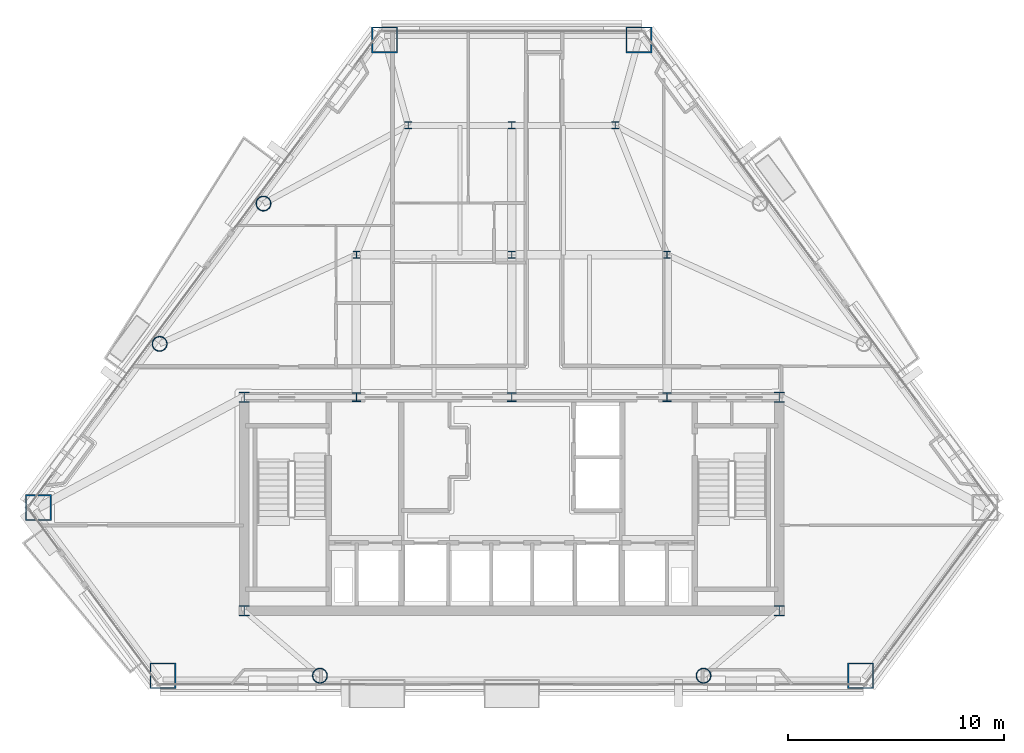
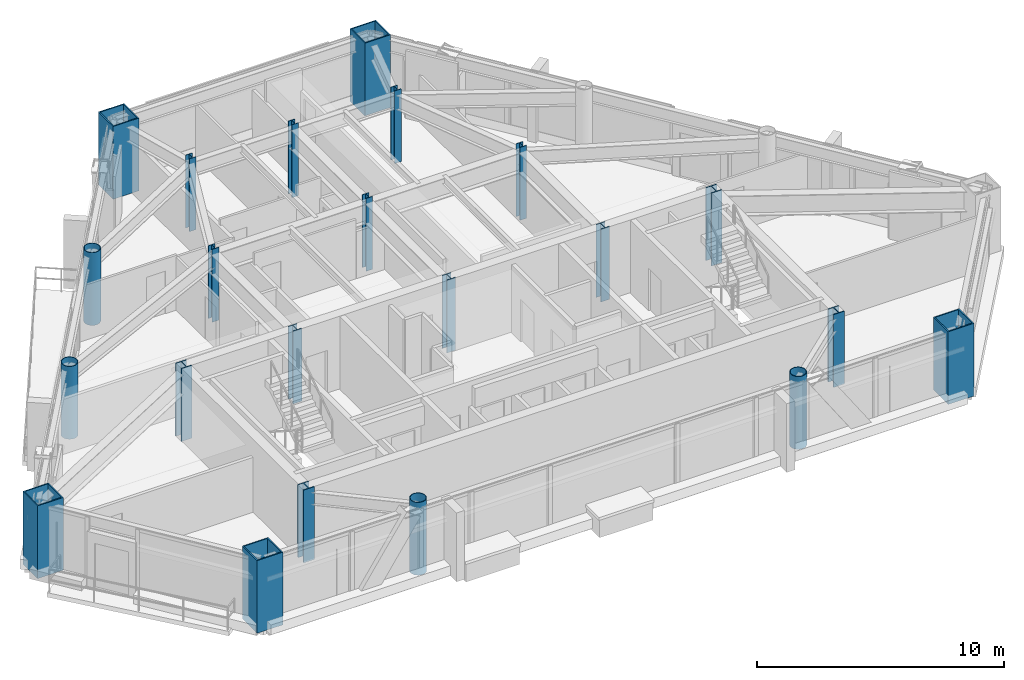
# One storey, part 1 of 13: 22 columns.
"""IFC4 building model written with IfcOpenShell, lengths in metres."""

import ifcopenshell
import ifcopenshell.guid

model = None  # the IFC model being written
_history = None  # IfcOwnerHistory: only IFC2X3 demands one
_inside = {}  # id of a spatial element -> (the spatial element, [elements in it])
_under = {}  # id of a project, library or spatial element -> (it, [spatial elements below it])
_declared = {}  # id of a project -> (the project, [libraries it declares])
_typed = {}  # id of a type object -> (the type object, [elements of that type])
_made_of = {}  # id of a material, layer set ... -> (it, [elements and type objects made of it])


def new_model(schema):
    """Start an empty IFC model of exactly this schema.

    Asked for "IFC4X3", IfcOpenShell would pick the latest addendum, in which some entities
    have other attributes; the version numbers below select the first issue.
    IFC2X3 requires an IfcOwnerHistory on every rooted entity: one is made here for all.
    """
    global model, _history
    if schema == "IFC4X3":
        model = ifcopenshell.file(schema_version=(4, 3, 0, 0))
    else:
        model = ifcopenshell.file(schema=schema)
    _inside.clear()
    _under.clear()
    _declared.clear()
    _typed.clear()
    _made_of.clear()
    _history = None
    if model.schema == "IFC2X3":
        org = make("IfcOrganization", Name="unknown")
        user = make(
            "IfcPersonAndOrganization",
            ThePerson=make("IfcPerson", FamilyName="unknown"),
            TheOrganization=org,
        )
        app = make(
            "IfcApplication",
            ApplicationDeveloper=org,
            Version="unknown",
            ApplicationFullName="unknown",
            ApplicationIdentifier="unknown",
        )
        _history = make(
            "IfcOwnerHistory",
            OwningUser=user,
            OwningApplication=app,
            ChangeAction="ADDED",
            CreationDate=0,
        )
    return model


def make(cls, **values):
    """One entity of the class cls with the attributes given. An attribute that is None is left unset."""
    return model.create_entity(
        cls, **{name: value for name, value in values.items() if value is not None}
    )


def rooted(cls, **values):
    """An entity with a GlobalId (a new one), such as an element, a storey or a relation."""
    return make(cls, GlobalId=ifcopenshell.guid.new(), OwnerHistory=_history, **values)


def si_unit(unit_type, name, prefix=None):
    """IfcSIUnit, for example si_unit("LENGTHUNIT", "METRE", prefix="MILLI")."""
    return make("IfcSIUnit", UnitType=unit_type, Prefix=prefix, Name=name)


def assignment(units):
    """IfcUnitAssignment: the units of a project."""
    return None if units is None else make("IfcUnitAssignment", Units=units)


def point(xyz):
    """IfcCartesianPoint."""
    return None if xyz is None else make("IfcCartesianPoint", Coordinates=xyz)


def direction(xyz):
    """IfcDirection."""
    return None if xyz is None else make("IfcDirection", DirectionRatios=xyz)


def frame(location, z_axis=None, x_axis=None):
    """IfcAxis2Placement3D, a coordinate frame: its origin and axes. An axis left out is left unset."""
    return make(
        "IfcAxis2Placement3D",
        Location=point(location),
        Axis=direction(z_axis),
        RefDirection=direction(x_axis),
    )


def frame_2d(location, x_axis=None):
    """IfcAxis2Placement2D, a coordinate frame in the plane: its origin and x axis."""
    return make(
        "IfcAxis2Placement2D", Location=point(location), RefDirection=direction(x_axis)
    )


def origin():
    """The frame at (0, 0, 0) with its axes left unset."""
    return frame((0.0, 0.0, 0.0))


def origin_2d():
    """The frame at (0, 0) in the plane with its x axis left unset."""
    return frame_2d((0.0, 0.0))


def place(relative_to, where):
    """IfcLocalPlacement: puts the frame where relative to a parent placement (None: the world)."""
    return make(
        "IfcLocalPlacement", PlacementRelTo=relative_to, RelativePlacement=where
    )


def context(
    kind, dimensions, precision=None, world=None, true_north=None, identifier=None
):
    """IfcGeometricRepresentationContext, for example the 3D "Model" context."""
    return make(
        "IfcGeometricRepresentationContext",
        ContextIdentifier=identifier,
        ContextType=kind,
        CoordinateSpaceDimension=dimensions,
        Precision=precision,
        WorldCoordinateSystem=world,
        TrueNorth=true_north,
    )


def subcontext(parent, identifier, kind, view, scale=None):
    """IfcGeometricRepresentationSubContext, for example "Body" below "Model"."""
    return make(
        "IfcGeometricRepresentationSubContext",
        ContextIdentifier=identifier,
        ContextType=kind,
        ParentContext=parent,
        TargetScale=scale,
        TargetView=view,
    )


def project(units=None, contexts=None):
    """IfcProject with its units and contexts."""
    return rooted(
        "IfcProject",
        Name="project",
        RepresentationContexts=contexts,
        UnitsInContext=assignment(units),
    )


def spatial(cls, under=None, at=None, **own):
    """A site, building, storey or space (cls), placed at a placement, below another one or the project."""
    s = rooted(cls, ObjectPlacement=at, **own)
    if under is not None:
        _under.setdefault(under.id(), (under, []))[1].append(s)
    return s


def profile(cls, at=None, kind="AREA", **sizes):
    """A parametric profile (cls). Its sizes go by their IFC names, for example OverallWidth=200.0."""
    return make(cls, ProfileType=kind, Position=at, **sizes)


def hollow_rectangle(**sizes):
    """IfcRectangleHollowProfileDef."""
    return profile("IfcRectangleHollowProfileDef", **sizes)


def hollow_circle(**sizes):
    """IfcCircleHollowProfileDef."""
    return profile("IfcCircleHollowProfileDef", **sizes)


def i_section(**sizes):
    """IfcIShapeProfileDef."""
    return profile("IfcIShapeProfileDef", **sizes)


def extrude(swept, where, along, depth):
    """IfcExtrudedAreaSolid: the profile swept, set in the frame where, extruded along a direction by depth."""
    return make(
        "IfcExtrudedAreaSolid",
        SweptArea=swept,
        Position=where,
        ExtrudedDirection=direction(along),
        Depth=depth,
    )


def shape(context_of_items, identifier, shape_type, items):
    """IfcShapeRepresentation: the items that make up one representation, for example the "Body"."""
    return make(
        "IfcShapeRepresentation",
        ContextOfItems=context_of_items,
        RepresentationIdentifier=identifier,
        RepresentationType=shape_type,
        Items=items,
    )


def material(Name=None, Category=None):
    """IfcMaterial."""
    return make("IfcMaterial", Name=Name, Category=Category)


def material_profile(
    of_material, cross_section, Name=None, Category=None, Priority=None
):
    """IfcMaterialProfile: a cross section and its material."""
    return make(
        "IfcMaterialProfile",
        Name=Name,
        Material=of_material,
        Profile=cross_section,
        Priority=Priority,
        Category=Category,
    )


def profile_set(profiles, Name=None, composite=None):
    """IfcMaterialProfileSet."""
    return make(
        "IfcMaterialProfileSet",
        Name=Name,
        MaterialProfiles=profiles,
        CompositeProfile=composite,
    )


def made_of(thing, what):
    """Note that an element or type object is made of a material, layer set ...; save() writes the relation."""
    if what is not None:
        _made_of.setdefault(what.id(), (what, []))[1].append(thing)
    return thing


def type_object(cls, material=None, **own):
    """A type object (cls), such as IfcWallType, which elements share."""
    return made_of(rooted(cls, **own), material)


def element(
    cls,
    number,
    at=None,
    inside=None,
    cuts=None,
    type_object=None,
    material=None,
    context=None,
    identifier="Body",
    shape_type=None,
    held_by="IfcProductDefinitionShape",
    body=None,
    shapes=None,
    **own,
):
    """One element of the class cls, such as IfcWall. Its Tag is "e" and its number.

    at: its placement. inside: the storey or other place that contains it. cuts: it is an
    opening in that element (IfcRelVoidsElement). A single representation is given by context,
    identifier, shape_type and body (its items); several are given by shapes. held_by: the class
    of the entity that holds the representations. save() writes the other relations.
    """
    e = rooted(cls, Tag="e%d" % number, ObjectPlacement=at, **own)
    if body is not None:
        shapes = [shape(context, identifier, shape_type, body)]
    if shapes is not None:
        e.Representation = make(held_by, Representations=shapes)
    if inside is not None:
        _inside.setdefault(inside.id(), (inside, []))[1].append(e)
    if cuts is not None:
        rooted(
            "IfcRelVoidsElement", RelatingBuildingElement=cuts, RelatedOpeningElement=e
        )
    if type_object is not None:
        _typed.setdefault(type_object.id(), (type_object, []))[1].append(e)
    return made_of(e, material)


def aggregate(whole, parts):
    """IfcRelAggregates: a whole, such as a stair, and the parts it consists of."""
    return rooted("IfcRelAggregates", RelatingObject=whole, RelatedObjects=parts)


def save(model, path):
    """Write the relations noted so far, then the file.

    IfcRelAggregates (storeys below a building ...), IfcRelContainedInSpatialStructure (elements
    in a storey), IfcRelDefinesByType, IfcRelAssociatesMaterial and IfcRelDeclares: one each for
    every whole, place, type object, material and project.
    """
    for whole, parts in _under.values():
        aggregate(whole, parts)
    for where, things in _inside.values():
        rooted(
            "IfcRelContainedInSpatialStructure",
            RelatedElements=things,
            RelatingStructure=where,
        )
    for kind, things in _typed.values():
        rooted("IfcRelDefinesByType", RelatedObjects=things, RelatingType=kind)
    for what, things in _made_of.values():
        rooted("IfcRelAssociatesMaterial", RelatedObjects=things, RelatingMaterial=what)
    for by, libraries in _declared.values():
        rooted("IfcRelDeclares", RelatingContext=by, RelatedDefinitions=libraries)
    model.write(path)


model = new_model("IFC4")

# Units and contexts
model_context = context("Model", 3, precision=1e-05, world=origin(), true_north=direction((0.0, 1.0)))
body_context = subcontext(model_context, "Body", "Model", "MODEL_VIEW")
ifc_project = project(units=[si_unit("LENGTHUNIT", "METRE"), si_unit("AREAUNIT", "SQUARE_METRE"), si_unit("VOLUMEUNIT", "CUBIC_METRE"), si_unit("PLANEANGLEUNIT", "RADIAN"), si_unit("MASSUNIT", "GRAM", prefix="KILO")], contexts=[model_context])

# Site, building, storey
site_placement = place(None, origin())
site = spatial("IfcSite", under=ifc_project, at=site_placement, CompositionType="ELEMENT")
building_placement = place(site_placement, origin())
building = spatial("IfcBuilding", under=site, at=building_placement, Name="Talgorran Terracotta Tower", CompositionType="ELEMENT")
storey_placement = place(building_placement, frame((0.0, 0.0, 99.60009765625)))
storey = spatial("IfcBuildingStorey", under=building, at=storey_placement, Name="L25", CompositionType="ELEMENT", Elevation=99.60009765625)

# Columns
ifc_material_1 = material(Name="Steel S355 (300PLUS)", Category="steel")
ifc_material_profile_1 = material_profile(ifc_material_1, i_section(OverallWidth=0.311279296875, OverallDepth=0.3271484375, WebThickness=0.015625, FlangeThickness=0.02490234375, at=origin_2d()), Name="310UC158")
ifc_profile_set_1 = profile_set([ifc_material_profile_1], Name="Steel S355 (300PLUS)")
column_type_1 = type_object("IfcColumnType", Name="COL_310UC158", PredefinedType="COLUMN", material=ifc_profile_set_1)
for number, where, z_axis, x_axis, name in (
    (1, (-7.199951171875, 2.39990234375, 0.0), (0.0, 0.0, 1.0), (1.0, 0.0, 0.0), "L25 Interior Gravity Column IC1"),
    (2, (0.0, 2.39990234375, 0.0), (0.0, 0.0, 1.0), (1.0, 0.0, 0.0), "L25 Interior Gravity Column IC2"),
    (3, (7.199951171875, 2.39990234375, 0.0), (0.0, 0.0, 1.0), (1.0, 0.0, 0.0), "L25 Interior Gravity Column IC3"),
    (4, (-4.800048828125, 8.39990234375, 0.0), (0.0, 0.0, 1.0), (1.0, 0.0, 0.0), "L25 Interior Gravity Column IC4"),
    (5, (0.0, 8.39990234375, 0.0), (0.0, 0.0, 1.0), (1.0, 0.0, 0.0), "L25 Interior Gravity Column IC5"),
    (6, (4.800048828125, 8.39990234375, 0.0), (0.0, 0.0, 1.0), (1.0, 0.0, 0.0), "L25 Interior Gravity Column IC6"),
):
    element("IfcColumn", number, at=place(storey_placement, frame(where, z_axis=z_axis, x_axis=x_axis)), inside=storey, type_object=column_type_1, Name=name, PredefinedType="COLUMN", context=body_context, shape_type="SweptSolid", body=[
        extrude(i_section(OverallWidth=0.311279296875, OverallDepth=0.3271484375, WebThickness=0.015625, FlangeThickness=0.02490234375, at=origin_2d()), origin(), (0.0, 0.0, 1.0), 3.599853515625),
    ])
ifc_material_profile_2 = material_profile(ifc_material_1, i_section(OverallWidth=0.5, OverallDepth=0.48193359375, WebThickness=0.0400390625, FlangeThickness=0.044921875, at=origin_2d()), Name="500WC440")
ifc_profile_set_2 = profile_set([ifc_material_profile_2], Name="Steel S355 (300PLUS)")
column_type_2 = type_object("IfcColumnType", Name="COL_500WC440", PredefinedType="COLUMN", material=ifc_profile_set_2)
for number, where, z_axis, x_axis, name in (
    (7, (-12.39990234375, -14.10009765625, 0.0), (0.0, 0.0, 1.0), (1.0, 0.0, 0.0), "L25 Core Boundary Column CC1"),
    (8, (12.39990234375, -14.10009765625, 0.0), (0.0, 0.0, 1.0), (1.0, 0.0, 0.0), "L25 Core Boundary Column CC2"),
    (9, (12.39990234375, -4.199951171875, 0.0), (0.0, 0.0, 1.0), (1.0, 0.0, 0.0), "L25 Core Boundary Column CC3"),
    (10, (-12.39990234375, -4.199951171875, 0.0), (0.0, 0.0, 1.0), (1.0, 0.0, 0.0), "L25 Core Boundary Column CC4"),
):
    element("IfcColumn", number, at=place(storey_placement, frame(where, z_axis=z_axis, x_axis=x_axis)), inside=storey, type_object=column_type_2, Name=name, PredefinedType="COLUMN", context=body_context, shape_type="SweptSolid", body=[
        extrude(i_section(OverallWidth=0.5, OverallDepth=0.48193359375, WebThickness=0.0400390625, FlangeThickness=0.044921875, at=origin_2d()), origin(), (0.0, 0.0, 1.0), 3.599853515625),
    ])
ifc_material_2 = material(Name="Steel Grade 350 (350L0)", Category="steel")
ifc_material_profile_3 = material_profile(ifc_material_2, hollow_rectangle(XDim=1.199951171875, YDim=1.199951171875, WallThickness=0.054931640625, at=origin_2d()), Name="CFT1200X1200X55")
ifc_profile_set_3 = profile_set([ifc_material_profile_3], Name="Steel Grade 350 (350L0)")
column_type_3 = type_object("IfcColumnType", Name="COL_CFT_1200", PredefinedType="COLUMN", material=ifc_profile_set_3)
for number, where, z_axis, x_axis, name in (
    (11, (-21.934326171875, -9.315673828125, 0.0), (0.0, 0.0, 1.0), (1.0, 0.0, 0.0), "L25 Corner CFT Mega-Column MC1"),
    (12, (-16.1669921875, -17.10791015625, 0.0), (0.0, 0.0, 1.0), (1.0, 0.0, 0.0), "L25 Corner CFT Mega-Column MC2"),
    (13, (16.1669921875, -17.10791015625, 0.0), (0.0, 0.0, 1.0), (1.0, 0.0, 0.0), "L25 Corner CFT Mega-Column MC3"),
    (14, (5.889892578125, 12.3623046875, 0.0), (0.0, 0.0, 1.0), (1.0, 0.0, 0.0), "L25 Corner CFT Mega-Column MC5"),
    (15, (-5.889892578125, 12.3623046875, 0.0), (0.0, 0.0, 1.0), (1.0, 0.0, 0.0), "L25 Corner CFT Mega-Column MC6"),
):
    element("IfcColumn", number, at=place(storey_placement, frame(where, z_axis=z_axis, x_axis=x_axis)), inside=storey, type_object=column_type_3, Name=name, PredefinedType="COLUMN", context=body_context, shape_type="SweptSolid", body=[
        extrude(hollow_rectangle(XDim=1.199951171875, YDim=1.199951171875, WallThickness=0.054931640625, at=origin_2d()), origin(), (0.0, 0.0, 1.0), 3.599853515625),
    ])
ifc_material_profile_4 = material_profile(ifc_material_2, hollow_circle(Radius=0.35009765625, WallThickness=0.030029296875, at=origin_2d()), Name="CHS700X30")
ifc_profile_set_4 = profile_set([ifc_material_profile_4], Name="Steel Grade 350 (350L0)")
column_type_4 = type_object("IfcColumnType", Name="COL_CHS_700", PredefinedType="COLUMN", material=ifc_profile_set_4)
for number, where, z_axis, x_axis, name in (
    (16, (-8.891845703125, -17.10791015625, 0.0), (0.0, 0.0, 1.0), (1.0, 0.0, 0.0), "L25 Facet Perimeter Column FC1"),
    (17, (8.891845703125, -17.10791015625, 0.0), (0.0, 0.0, 1.0), (1.0, 0.0, 0.0), "L25 Facet Perimeter Column FC2"),
    (18, (-11.505615234375, 4.77490234375, 0.0), (0.0, 0.0, 1.0), (1.0, 0.0, 0.0), "L25 Facet Perimeter Column FC5"),
    (19, (-16.31884765625, -1.728515625, 0.0), (0.0, 0.0, 1.0), (1.0, 0.0, 0.0), "L25 Facet Perimeter Column FC6"),
):
    element("IfcColumn", number, at=place(storey_placement, frame(where, z_axis=z_axis, x_axis=x_axis)), inside=storey, type_object=column_type_4, Name=name, PredefinedType="COLUMN", context=body_context, shape_type="SweptSolid", body=[
        extrude(hollow_circle(Radius=0.35009765625, WallThickness=0.030029296875, at=origin_2d()), origin(), (0.0, 0.0, 1.0), 3.599853515625),
    ])
ifc_material_profile_5 = material_profile(ifc_material_1, i_section(OverallWidth=0.405029296875, OverallDepth=0.4140625, WebThickness=0.02197265625, FlangeThickness=0.031982421875, at=origin_2d()), Name="400WC270")
ifc_profile_set_5 = profile_set([ifc_material_profile_5], Name="Steel S355 (300PLUS)")
column_type_5 = type_object("IfcColumnType", Name="COL_PIL_400WC270", PredefinedType="PILASTER", material=ifc_profile_set_5)
for number, where, z_axis, x_axis, name in (
    (20, (-7.199951171875, -4.199951171875, 0.0), (0.0, 0.0, 1.0), (1.0, 0.0, 0.0), "L25 Core Shear Pilaster CP1"),
    (21, (0.0, -4.199951171875, 0.0), (0.0, 0.0, 1.0), (1.0, 0.0, 0.0), "L25 Core Shear Pilaster CP2"),
    (22, (7.199951171875, -4.199951171875, 0.0), (0.0, 0.0, 1.0), (1.0, 0.0, 0.0), "L25 Core Shear Pilaster CP3"),
):
    element("IfcColumn", number, at=place(storey_placement, frame(where, z_axis=z_axis, x_axis=x_axis)), inside=storey, type_object=column_type_5, Name=name, PredefinedType="PILASTER", context=body_context, shape_type="SweptSolid", body=[
        extrude(i_section(OverallWidth=0.405029296875, OverallDepth=0.4140625, WebThickness=0.02197265625, FlangeThickness=0.031982421875, at=origin_2d()), origin(), (0.0, 0.0, 1.0), 3.599853515625),
    ])

save(model, "model.ifc")
